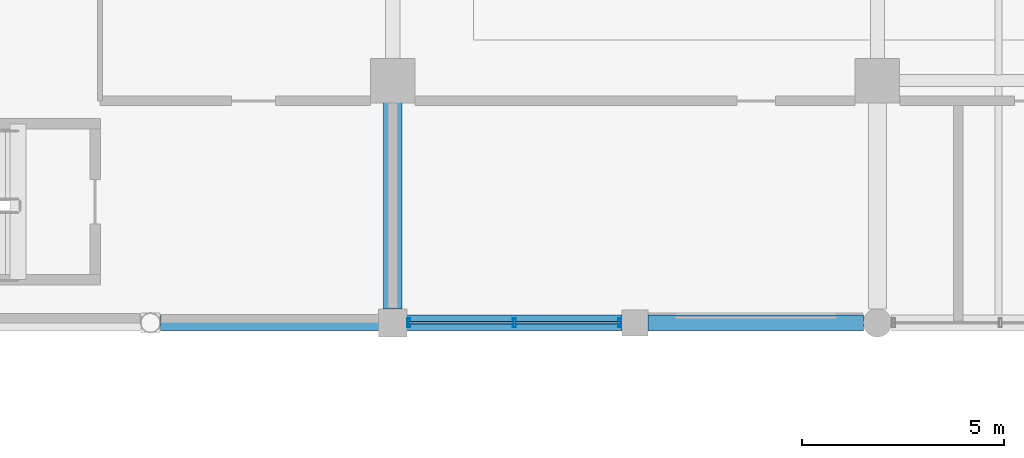
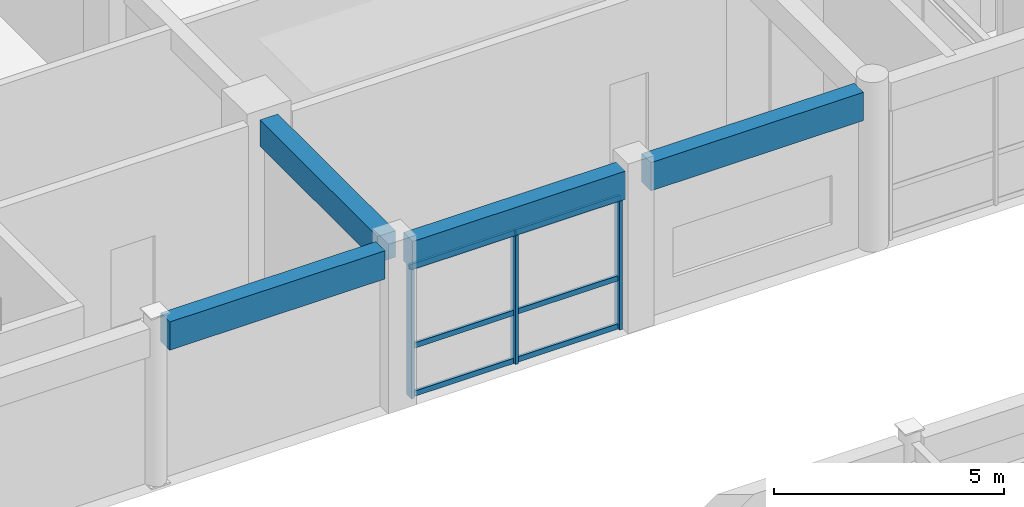
# One storey, part 35 of 116: 9 members, 4 beams, 1 element without a shape of its own.
"""IFC4 building model written with IfcOpenShell, lengths in metres."""

from ifc_helpers import new_model, si_unit, direction, frame, origin, origin_2d, place, context, subcontext, project, spatial, rectangle, hollow_rectangle, extrude, material, material_profile, profile_set, type_object, element, aggregate, save


model = new_model("IFC4")

# Units and contexts
model_context = context("Model", 3, precision=1e-05, world=origin(), true_north=direction((0.0, 1.0)))
body_context = subcontext(model_context, "Body", "Model", "MODEL_VIEW")
ifc_project = project(units=[si_unit("LENGTHUNIT", "METRE"), si_unit("AREAUNIT", "SQUARE_METRE"), si_unit("VOLUMEUNIT", "CUBIC_METRE"), si_unit("PLANEANGLEUNIT", "RADIAN"), si_unit("MASSUNIT", "GRAM", prefix="KILO"), si_unit("THERMODYNAMICTEMPERATUREUNIT", "KELVIN"), si_unit("POWERUNIT", "WATT")], contexts=[model_context])

# Site, building, storey
site_placement = place(None, origin())
site = spatial("IfcSite", under=ifc_project, at=site_placement, CompositionType="ELEMENT")
building_placement = place(site_placement, origin())
building = spatial("IfcBuilding", under=site, at=building_placement, Name="Phaisarnlok Congress Hotel", CompositionType="ELEMENT")
storey_placement = place(building_placement, frame((0.0, 0.0, 10.5)))
storey = spatial("IfcBuildingStorey", under=building, at=storey_placement, Name="L02", CompositionType="ELEMENT", Elevation=10.5)

# Beam
ifc_material_1 = material(Name="Concrete C40/50", Category="concrete")
ifc_material_profile_1 = material_profile(ifc_material_1, rectangle(XDim=0.449951171875, YDim=0.699951171875, at=origin_2d()), Name="RC 450x700")
ifc_profile_set_1 = profile_set([ifc_material_profile_1], Name="Concrete C40/50")
beam_type_1 = type_object("IfcBeamType", Name="BM-RC-450x700", PredefinedType="BEAM", material=ifc_profile_set_1)
beam_1_placement = place(storey_placement, frame((84.0, 108.344970703125, 3.889892578125), z_axis=(0.0, 1.0, 0.0), x_axis=(-1.0, 0.0, 0.0)))
element("IfcBeam", 1, at=beam_1_placement, inside=storey, type_object=beam_type_1, Name="Beam B-03", PredefinedType="BEAM", context=body_context, shape_type="SweptSolid", body=[
    extrude(rectangle(XDim=0.449951171875, YDim=0.699951171875, at=origin_2d()), origin(), (0.0, 0.0, 1.0), 5.110107421875),
])

# Curtain wall, members
ifc_material_2 = material(Name="Thermally Broken Unitised Aluminium & Low-E Glazing", Category="aluminium")
curtain_wall_type = type_object("IfcCurtainWallType", Name="CW-UNIT-16", PredefinedType="NOTDEFINED", material=ifc_material_2)
curtain_wall_placement = place(storey_placement, origin())
curtain_wall = element("IfcCurtainWall", 2, at=curtain_wall_placement, inside=storey, type_object=curtain_wall_type, Name="Unitised curtain wall CW-16 (L02)", PredefinedType="NOTDEFINED")
ifc_material_3 = material(Name="Anodised Aluminium Alloy 6063-T6", Category="aluminium")
ifc_material_profile_2 = material_profile(ifc_material_3, hollow_rectangle(XDim=0.074951171875, YDim=0.219970703125, WallThickness=0.0048828125, at=origin_2d()), Name="ALU-M 75x220x5")
ifc_profile_set_2 = profile_set([ifc_material_profile_2], Name="Anodised Aluminium Alloy 6063-T6")
member_type_1 = type_object("IfcMemberType", Name="CWM-220", PredefinedType="MULLION", material=ifc_profile_set_2)
member_1_placement = place(storey_placement, frame((84.39990234375, 108.0, 0.0), z_axis=(0.0, 0.0, 1.0), x_axis=(1.0, 0.0, 0.0)))
member_1 = element("IfcMember", 3, at=member_1_placement, type_object=member_type_1, Name="Curtain wall mullion CWM-02", PredefinedType="MULLION", context=body_context, shape_type="SweptSolid", body=[
    extrude(hollow_rectangle(XDim=0.074951171875, YDim=0.219970703125, WallThickness=0.0048828125, at=origin_2d()), origin(), (0.0, 0.0, 1.0), 3.489990234375),
])
member_2_placement = place(storey_placement, frame((87.012451171875, 108.0, 0.0), z_axis=(0.0, 0.0, 1.0), x_axis=(1.0, 0.0, 0.0)))
member_2 = element("IfcMember", 4, at=member_2_placement, type_object=member_type_1, Name="Curtain wall mullion CWM-02", PredefinedType="MULLION", context=body_context, shape_type="SweptSolid", body=[
    extrude(hollow_rectangle(XDim=0.074951171875, YDim=0.219970703125, WallThickness=0.0048828125, at=origin_2d()), origin(), (0.0, 0.0, 1.0), 3.489990234375),
])
member_3_placement = place(storey_placement, frame((89.625, 108.0, 0.0), z_axis=(0.0, 0.0, 1.0), x_axis=(1.0, 0.0, 0.0)))
member_3 = element("IfcMember", 5, at=member_3_placement, type_object=member_type_1, Name="Curtain wall mullion CWM-02", PredefinedType="MULLION", context=body_context, shape_type="SweptSolid", body=[
    extrude(hollow_rectangle(XDim=0.074951171875, YDim=0.219970703125, WallThickness=0.0048828125, at=origin_2d()), origin(), (0.0, 0.0, 1.0), 3.489990234375),
])
ifc_material_profile_3 = material_profile(ifc_material_3, hollow_rectangle(XDim=0.06494140625, YDim=0.139892578125, WallThickness=0.00390625, at=origin_2d()), Name="ALU-T 65x140x4")
ifc_profile_set_3 = profile_set([ifc_material_profile_3], Name="Anodised Aluminium Alloy 6063-T6")
member_type_2 = type_object("IfcMemberType", Name="CWT-150", PredefinedType="USERDEFINED", material=ifc_profile_set_3)
member_4_placement = place(storey_placement, frame((84.375, 108.0, 0.050048828125), z_axis=(1.0, 0.0, 0.0), x_axis=(0.0, 1.0, 0.0)))
member_4 = element("IfcMember", 6, at=member_4_placement, type_object=member_type_2, Name="Curtain wall transom CWT-01", ObjectType="TRANSOM", PredefinedType="USERDEFINED", context=body_context, shape_type="SweptSolid", body=[
    extrude(hollow_rectangle(XDim=0.06494140625, YDim=0.139892578125, WallThickness=0.00390625, at=origin_2d()), origin(), (0.0, 0.0, 1.0), 2.62255859375),
])
member_5_placement = place(storey_placement, frame((84.375, 108.0, 1.326171875), z_axis=(1.0, 0.0, 0.0), x_axis=(0.0, 1.0, 0.0)))
member_5 = element("IfcMember", 7, at=member_5_placement, type_object=member_type_2, Name="Curtain wall transom CWT-01", ObjectType="TRANSOM", PredefinedType="USERDEFINED", context=body_context, shape_type="SweptSolid", body=[
    extrude(hollow_rectangle(XDim=0.06494140625, YDim=0.139892578125, WallThickness=0.00390625, at=origin_2d()), origin(), (0.0, 0.0, 1.0), 2.62255859375),
])
member_6_placement = place(storey_placement, frame((84.375, 108.0, 3.43994140625), z_axis=(1.0, 0.0, 0.0), x_axis=(0.0, 1.0, 0.0)))
member_6 = element("IfcMember", 8, at=member_6_placement, type_object=member_type_2, Name="Curtain wall transom CWT-01", ObjectType="TRANSOM", PredefinedType="USERDEFINED", context=body_context, shape_type="SweptSolid", body=[
    extrude(hollow_rectangle(XDim=0.06494140625, YDim=0.139892578125, WallThickness=0.00390625, at=origin_2d()), origin(), (0.0, 0.0, 1.0), 2.62255859375),
])
member_7_placement = place(storey_placement, frame((87.027587890625, 108.0, 0.050048828125), z_axis=(1.0, 0.0, 0.0), x_axis=(0.0, 1.0, 0.0)))
member_7 = element("IfcMember", 9, at=member_7_placement, type_object=member_type_2, Name="Curtain wall transom CWT-01", ObjectType="TRANSOM", PredefinedType="USERDEFINED", context=body_context, shape_type="SweptSolid", body=[
    extrude(hollow_rectangle(XDim=0.06494140625, YDim=0.139892578125, WallThickness=0.00390625, at=origin_2d()), origin(), (0.0, 0.0, 1.0), 2.622314453125),
])
member_8_placement = place(storey_placement, frame((87.027587890625, 108.0, 1.326171875), z_axis=(1.0, 0.0, 0.0), x_axis=(0.0, 1.0, 0.0)))
member_8 = element("IfcMember", 10, at=member_8_placement, type_object=member_type_2, Name="Curtain wall transom CWT-01", ObjectType="TRANSOM", PredefinedType="USERDEFINED", context=body_context, shape_type="SweptSolid", body=[
    extrude(hollow_rectangle(XDim=0.06494140625, YDim=0.139892578125, WallThickness=0.00390625, at=origin_2d()), origin(), (0.0, 0.0, 1.0), 2.622314453125),
])
member_9_placement = place(storey_placement, frame((87.027587890625, 108.0, 3.43994140625), z_axis=(1.0, 0.0, 0.0), x_axis=(0.0, 1.0, 0.0)))
member_9 = element("IfcMember", 11, at=member_9_placement, type_object=member_type_2, Name="Curtain wall transom CWT-01", ObjectType="TRANSOM", PredefinedType="USERDEFINED", context=body_context, shape_type="SweptSolid", body=[
    extrude(hollow_rectangle(XDim=0.06494140625, YDim=0.139892578125, WallThickness=0.00390625, at=origin_2d()), origin(), (0.0, 0.0, 1.0), 2.622314453125),
])
aggregate(curtain_wall, [member_1, member_2, member_3, member_4, member_5, member_6, member_7, member_8, member_9])

# Beams
ifc_material_profile_4 = material_profile(ifc_material_1, rectangle(XDim=0.39990234375, YDim=0.75, at=origin_2d()), Name="RC 400x750")
ifc_profile_set_4 = profile_set([ifc_material_profile_4], Name="Concrete C40/50")
beam_type_2 = type_object("IfcBeamType", Name="SP-RC-400x750", PredefinedType="SPANDREL", material=ifc_profile_set_4)
beam_2_placement = place(storey_placement, frame((78.2490234375, 108.0, 3.864990234375), z_axis=(1.0, 0.0, 0.0), x_axis=(0.0, 1.0, 0.0)))
element("IfcBeam", 12, at=beam_2_placement, inside=storey, type_object=beam_type_2, Name="Beam SP-02", PredefinedType="SPANDREL", context=body_context, shape_type="SweptSolid", body=[
    extrude(rectangle(XDim=0.39990234375, YDim=0.75, at=origin_2d()), origin(), (0.0, 0.0, 1.0), 5.406005859375),
])
for number, where, z_axis, x_axis, name in (
    (13, (84.344970703125, 108.0, 3.864990234375), (1.0, 0.0, 0.0), (0.0, 1.0, 0.0), "Beam SP-02"),
    (14, (90.320068359375, 108.0, 3.864990234375), (1.0, 0.0, 0.0), (0.0, 1.0, 0.0), "Beam SP-02"),
):
    element("IfcBeam", number, at=place(storey_placement, frame(where, z_axis=z_axis, x_axis=x_axis)), inside=storey, type_object=beam_type_2, Name=name, PredefinedType="SPANDREL", context=body_context, shape_type="SweptSolid", body=[
        extrude(rectangle(XDim=0.39990234375, YDim=0.75, at=origin_2d()), origin(), (0.0, 0.0, 1.0), 5.3349609375),
    ])

save(model, "model.ifc")
